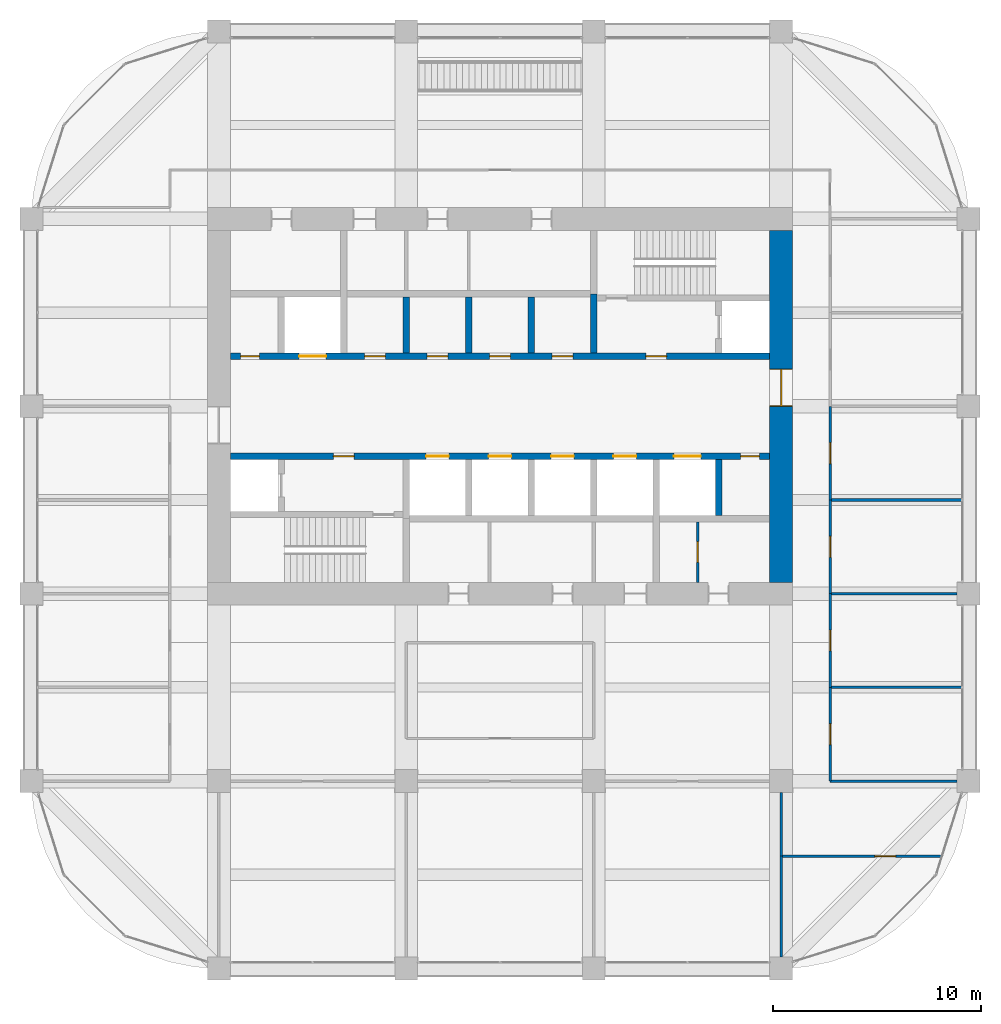
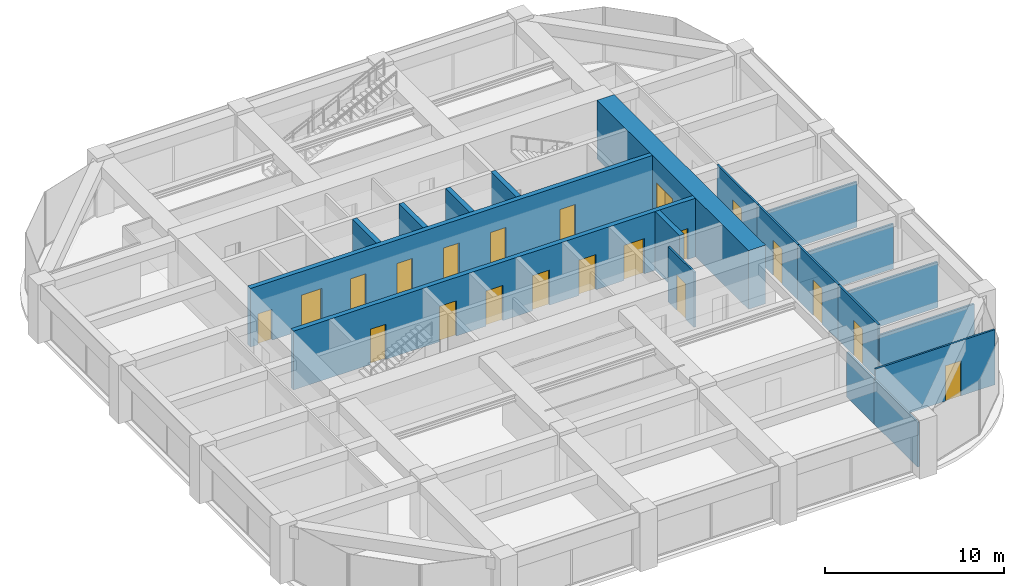
# One storey, part 42 of 45: 21 doors, 20 walls, 21 openings.
"""IFC4 building model written with IfcOpenShell, lengths in metres."""

from ifc_helpers import new_model, si_unit, direction, frame, frame_2d, origin, place, context, subcontext, project, spatial, rectangle, extrude, material, layer, layer_set, type_object, element, fill, save


model = new_model("IFC4")

# Units and contexts
model_context = context("Model", 3, precision=1e-05, world=origin(), true_north=direction((0.0, 1.0)))
body_context = subcontext(model_context, "Body", "Model", "MODEL_VIEW")
ifc_project = project(units=[si_unit("LENGTHUNIT", "METRE"), si_unit("AREAUNIT", "SQUARE_METRE"), si_unit("VOLUMEUNIT", "CUBIC_METRE"), si_unit("PLANEANGLEUNIT", "RADIAN"), si_unit("MASSUNIT", "GRAM", prefix="KILO")], contexts=[model_context])

# Site, building, storey
site_placement = place(None, origin())
site = spatial("IfcSite", under=ifc_project, at=site_placement, CompositionType="ELEMENT")
building_placement = place(site_placement, origin())
building = spatial("IfcBuilding", under=site, at=building_placement, Name="Zorevar Civic Tower", CompositionType="ELEMENT")
storey_placement = place(building_placement, frame((0.0, 0.0, 291.39990234375)))
storey = spatial("IfcBuildingStorey", under=building, at=storey_placement, Name="L71", CompositionType="ELEMENT", Elevation=291.39990234375)

# Wall, opening, door
ifc_material_1 = material(Name="Concrete C50/60", Category="concrete")
ifc_layer_1 = layer(ifc_material_1, 1.10009765625)
ifc_layer_set_1 = layer_set([ifc_layer_1], Name="Core wall 1100")
wall_type_1 = type_object("IfcWallType", Name="Core wall 1100", PredefinedType="SHEAR", material=ifc_layer_set_1)
wall_1_placement = place(storey_placement, frame((45.0, 18.550048828125, 0.0), z_axis=(0.0, 0.0, 1.0), x_axis=(0.0, 1.0, 0.0)))
wall_1 = element("IfcWall", 1, at=wall_1_placement, inside=storey, type_object=wall_type_1, Name="Core wall E L71", PredefinedType="SHEAR", context=body_context, shape_type="SweptSolid", body=[
    extrude(rectangle(XDim=16.89990234375, YDim=1.10009765625, at=frame_2d((8.449951171875, 0.0))), origin(), (0.0, 0.0, 1.0), 4.0),
])
opening_1_placement = place(wall_1_placement, frame((8.449951171875, 0.0, 0.0)))
opening_1 = element("IfcOpeningElement", 2, at=opening_1_placement, cuts=wall_1, Name="Opening L71.02", PredefinedType="OPENING", context=body_context, shape_type="SweptSolid", body=[
    extrude(rectangle(XDim=1.800048828125, YDim=2.39990234375, at=frame_2d((0.89990234375, 1.199951171875))), frame((0.0, 0.56005859375, 0.0), z_axis=(0.0, -1.0, 0.0), x_axis=(1.0, 0.0, 0.0)), (0.0, 0.0, 1.0), 1.1201171875),
])
ifc_material_2 = material(Name="Steel door set", Category="steel")
door_type_1 = type_object("IfcDoorType", Name="Fire door FD2 1800x2400", OperationType="DOUBLE_DOOR_DOUBLE_SWING", PredefinedType="DOOR", material=ifc_material_2)
door_1_placement = place(opening_1_placement, origin())
door_1 = element("IfcDoor", 3, at=door_1_placement, inside=storey, type_object=door_type_1, Name="Door L71 01", OperationType="DOUBLE_DOOR_DOUBLE_SWING", OverallHeight=2.39990234375, OverallWidth=1.800048828125, PredefinedType="DOOR", context=body_context, shape_type="SweptSolid", body=[
    extrude(rectangle(XDim=1.800048828125, YDim=2.39990234375, at=frame_2d((0.89990234375, 1.199951171875))), frame((0.0, 0.030029296875, 0.0), z_axis=(0.0, -1.0, 0.0), x_axis=(1.0, 0.0, 0.0)), (0.0, 0.0, 1.0), 0.06005859375),
    extrude(rectangle(XDim=0.04, YDim=2.39990234375, at=frame_2d((0.02001953125, 1.199951171875))), frame((0.0, 0.5498046875, 0.0), z_axis=(0.0, -1.0, 0.0), x_axis=(1.0, 0.0, 0.0)), (0.0, 0.0, 1.0), 1.099609375),
    extrude(rectangle(XDim=0.04, YDim=2.39990234375, at=frame_2d((1.780029296875, 1.199951171875))), frame((0.0, 0.5498046875, 0.0), z_axis=(0.0, -1.0, 0.0), x_axis=(1.0, 0.0, 0.0)), (0.0, 0.0, 1.0), 1.099609375),
    extrude(rectangle(XDim=1.800048828125, YDim=0.04, at=frame_2d((0.89990234375, 2.3798828125))), frame((0.0, 0.5498046875, 0.0), z_axis=(0.0, -1.0, 0.0), x_axis=(1.0, 0.0, 0.0)), (0.0, 0.0, 1.0), 1.099609375),
])
fill(opening_1, door_1)

# Wall, openings, doors
ifc_material_3 = material(Name="Concrete C40/50", Category="concrete")
ifc_layer_2 = layer(ifc_material_3, 0.300048828125)
ifc_layer_set_2 = layer_set([ifc_layer_2], Name="Inner core wall 300")
wall_type_2 = type_object("IfcWallType", Name="Inner core wall 300", PredefinedType="SHEAR", material=ifc_layer_set_2)
wall_2_placement = place(storey_placement, frame((18.550048828125, 24.60009765625, 0.0), z_axis=(0.0, 0.0, 1.0), x_axis=(1.0, 0.0, 0.0)))
wall_2 = element("IfcWall", 4, at=wall_2_placement, inside=storey, type_object=wall_type_2, Name="Inner core wall S03 L71", PredefinedType="SHEAR", context=body_context, shape_type="SweptSolid", body=[
    extrude(rectangle(XDim=25.89990234375, YDim=0.300048828125, at=frame_2d((12.949951171875, 0.0))), origin(), (0.0, 0.0, 1.0), 4.0),
])
opening_2_placement = place(wall_2_placement, frame((4.949951171875, 0.0, 0.0)))
opening_2 = element("IfcOpeningElement", 5, at=opening_2_placement, cuts=wall_2, Name="Opening L71.13", PredefinedType="OPENING", context=body_context, shape_type="SweptSolid", body=[
    extrude(rectangle(XDim=1.0, YDim=2.39990234375, at=frame_2d((0.5, 1.199951171875))), frame((0.0, 0.159912109375, 0.0), z_axis=(0.0, -1.0, 0.0), x_axis=(1.0, 0.0, 0.0)), (0.0, 0.0, 1.0), 0.320068359375),
])
opening_3_placement = place(wall_2_placement, frame((24.5, 0.0, 0.0)))
opening_3 = element("IfcOpeningElement", 6, at=opening_3_placement, cuts=wall_2, Name="Opening L71.15", PredefinedType="OPENING", context=body_context, shape_type="SweptSolid", body=[
    extrude(rectangle(XDim=0.89990234375, YDim=2.10009765625, at=frame_2d((0.449951171875, 1.050048828125))), frame((0.0, 0.159912109375, 0.0), z_axis=(0.0, -1.0, 0.0), x_axis=(1.0, 0.0, 0.0)), (0.0, 0.0, 1.0), 0.320068359375),
])
opening_4_placement = place(wall_2_placement, frame((9.39990234375, 0.0, 0.0)))
opening_4 = element("IfcOpeningElement", 7, at=opening_4_placement, cuts=wall_2, Name="Opening L71.LT1", PredefinedType="OPENING", context=body_context, shape_type="SweptSolid", body=[
    extrude(rectangle(XDim=1.10009765625, YDim=2.39990234375, at=frame_2d((0.550048828125, 1.199951171875))), frame((0.0, 0.159912109375, 0.0), z_axis=(0.0, -1.0, 0.0), x_axis=(1.0, 0.0, 0.0)), (0.0, 0.0, 1.0), 0.320068359375),
])
opening_5_placement = place(wall_2_placement, frame((12.39990234375, 0.0, 0.0)))
opening_5 = element("IfcOpeningElement", 8, at=opening_5_placement, cuts=wall_2, Name="Opening L71.LT2", PredefinedType="OPENING", context=body_context, shape_type="SweptSolid", body=[
    extrude(rectangle(XDim=1.10009765625, YDim=2.39990234375, at=frame_2d((0.550048828125, 1.199951171875))), frame((0.0, 0.159912109375, 0.0), z_axis=(0.0, -1.0, 0.0), x_axis=(1.0, 0.0, 0.0)), (0.0, 0.0, 1.0), 0.320068359375),
])
opening_6_placement = place(wall_2_placement, frame((15.39990234375, 0.0, 0.0)))
opening_6 = element("IfcOpeningElement", 9, at=opening_6_placement, cuts=wall_2, Name="Opening L71.LT3", PredefinedType="OPENING", context=body_context, shape_type="SweptSolid", body=[
    extrude(rectangle(XDim=1.10009765625, YDim=2.39990234375, at=frame_2d((0.550048828125, 1.199951171875))), frame((0.0, 0.159912109375, 0.0), z_axis=(0.0, -1.0, 0.0), x_axis=(1.0, 0.0, 0.0)), (0.0, 0.0, 1.0), 0.320068359375),
])
opening_7_placement = place(wall_2_placement, frame((18.39990234375, 0.0, 0.0)))
opening_7 = element("IfcOpeningElement", 10, at=opening_7_placement, cuts=wall_2, Name="Opening L71.LT4", PredefinedType="OPENING", context=body_context, shape_type="SweptSolid", body=[
    extrude(rectangle(XDim=1.10009765625, YDim=2.39990234375, at=frame_2d((0.550048828125, 1.199951171875))), frame((0.0, 0.159912109375, 0.0), z_axis=(0.0, -1.0, 0.0), x_axis=(1.0, 0.0, 0.0)), (0.0, 0.0, 1.0), 0.320068359375),
])
opening_8_placement = place(wall_2_placement, frame((21.300048828125, 0.0, 0.0)))
opening_8 = element("IfcOpeningElement", 11, at=opening_8_placement, cuts=wall_2, Name="Opening L71.SL1", PredefinedType="OPENING", context=body_context, shape_type="SweptSolid", body=[
    extrude(rectangle(XDim=1.300048828125, YDim=2.39990234375, at=frame_2d((0.64990234375, 1.199951171875))), frame((0.0, 0.159912109375, 0.0), z_axis=(0.0, -1.0, 0.0), x_axis=(1.0, 0.0, 0.0)), (0.0, 0.0, 1.0), 0.320068359375),
])
ifc_material_4 = material(Name="Steel door set", Category="steel")
door_type_2 = type_object("IfcDoorType", Name="Fire door FD1 1000x2400", OperationType="SINGLE_SWING_LEFT", PredefinedType="DOOR", material=ifc_material_4)
door_2_placement = place(opening_2_placement, origin())
door_2 = element("IfcDoor", 12, at=door_2_placement, inside=storey, type_object=door_type_2, Name="Door L71 12", OperationType="SINGLE_SWING_RIGHT", OverallHeight=2.39990234375, OverallWidth=1.0, PredefinedType="DOOR", context=body_context, shape_type="SweptSolid", body=[
    extrude(rectangle(XDim=1.0, YDim=2.39990234375, at=frame_2d((0.5, 1.199951171875))), frame((0.0, 0.030029296875, 0.0), z_axis=(0.0, -1.0, 0.0), x_axis=(1.0, 0.0, 0.0)), (0.0, 0.0, 1.0), 0.06005859375),
])
fill(opening_2, door_2)
ifc_material_5 = material(Name="Steel door set", Category="steel")
door_type_3 = type_object("IfcDoorType", Name="Landing door LD1 1100x2400", OperationType="DOUBLE_DOOR_SLIDING", PredefinedType="DOOR", material=ifc_material_5)
door_3_placement = place(opening_4_placement, origin())
door_3 = element("IfcDoor", 13, at=door_3_placement, inside=storey, type_object=door_type_3, Name="Landing door LT1 L71", OperationType="DOUBLE_DOOR_SLIDING", OverallHeight=2.39990234375, OverallWidth=1.10009765625, PredefinedType="DOOR", context=body_context, shape_type="SweptSolid", body=[
    extrude(rectangle(XDim=1.10009765625, YDim=2.39990234375, at=frame_2d((0.550048828125, 1.199951171875))), frame((0.0, 0.02001953125, 0.0), z_axis=(0.0, -1.0, 0.0), x_axis=(1.0, 0.0, 0.0)), (0.0, 0.0, 1.0), 0.0400390625),
])
fill(opening_4, door_3)
door_4_placement = place(opening_5_placement, origin())
door_4 = element("IfcDoor", 14, at=door_4_placement, inside=storey, type_object=door_type_3, Name="Landing door LT2 L71", OperationType="DOUBLE_DOOR_SLIDING", OverallHeight=2.39990234375, OverallWidth=1.10009765625, PredefinedType="DOOR", context=body_context, shape_type="SweptSolid", body=[
    extrude(rectangle(XDim=1.10009765625, YDim=2.39990234375, at=frame_2d((0.550048828125, 1.199951171875))), frame((0.0, 0.02001953125, 0.0), z_axis=(0.0, -1.0, 0.0), x_axis=(1.0, 0.0, 0.0)), (0.0, 0.0, 1.0), 0.0400390625),
])
fill(opening_5, door_4)
door_5_placement = place(opening_6_placement, origin())
door_5 = element("IfcDoor", 15, at=door_5_placement, inside=storey, type_object=door_type_3, Name="Landing door LT3 L71", OperationType="DOUBLE_DOOR_SLIDING", OverallHeight=2.39990234375, OverallWidth=1.10009765625, PredefinedType="DOOR", context=body_context, shape_type="SweptSolid", body=[
    extrude(rectangle(XDim=1.10009765625, YDim=2.39990234375, at=frame_2d((0.550048828125, 1.199951171875))), frame((0.0, 0.02001953125, 0.0), z_axis=(0.0, -1.0, 0.0), x_axis=(1.0, 0.0, 0.0)), (0.0, 0.0, 1.0), 0.0400390625),
])
fill(opening_6, door_5)
door_6_placement = place(opening_7_placement, origin())
door_6 = element("IfcDoor", 16, at=door_6_placement, inside=storey, type_object=door_type_3, Name="Landing door LT4 L71", OperationType="DOUBLE_DOOR_SLIDING", OverallHeight=2.39990234375, OverallWidth=1.10009765625, PredefinedType="DOOR", context=body_context, shape_type="SweptSolid", body=[
    extrude(rectangle(XDim=1.10009765625, YDim=2.39990234375, at=frame_2d((0.550048828125, 1.199951171875))), frame((0.0, 0.02001953125, 0.0), z_axis=(0.0, -1.0, 0.0), x_axis=(1.0, 0.0, 0.0)), (0.0, 0.0, 1.0), 0.0400390625),
])
fill(opening_7, door_6)
ifc_material_6 = material(Name="Steel door set", Category="steel")
door_type_4 = type_object("IfcDoorType", Name="Landing door LD2 1300x2400", OperationType="DOUBLE_DOOR_SLIDING", PredefinedType="DOOR", material=ifc_material_6)
door_7_placement = place(opening_8_placement, origin())
door_7 = element("IfcDoor", 17, at=door_7_placement, inside=storey, type_object=door_type_4, Name="Landing door SL1 L71", OperationType="DOUBLE_DOOR_SLIDING", OverallHeight=2.39990234375, OverallWidth=1.300048828125, PredefinedType="DOOR", context=body_context, shape_type="SweptSolid", body=[
    extrude(rectangle(XDim=1.300048828125, YDim=2.39990234375, at=frame_2d((0.64990234375, 1.199951171875))), frame((0.0, 0.02001953125, 0.0), z_axis=(0.0, -1.0, 0.0), x_axis=(1.0, 0.0, 0.0)), (0.0, 0.0, 1.0), 0.0400390625),
])
fill(opening_8, door_7)
ifc_material_7 = material(Name="Steel door set", Category="steel")
door_type_5 = type_object("IfcDoorType", Name="Riser door RD1 900x2100", OperationType="SINGLE_SWING_LEFT", PredefinedType="DOOR", material=ifc_material_7)
door_8_placement = place(opening_3_placement, origin())
door_8 = element("IfcDoor", 18, at=door_8_placement, inside=storey, type_object=door_type_5, Name="Door L71 14", OperationType="SINGLE_SWING_RIGHT", OverallHeight=2.10009765625, OverallWidth=0.89990234375, PredefinedType="DOOR", context=body_context, shape_type="SweptSolid", body=[
    extrude(rectangle(XDim=0.89990234375, YDim=2.10009765625, at=frame_2d((0.449951171875, 1.050048828125))), frame((0.0, 0.030029296875, 0.0), z_axis=(0.0, -1.0, 0.0), x_axis=(1.0, 0.0, 0.0)), (0.0, 0.0, 1.0), 0.06005859375),
])
fill(opening_3, door_8)

wall_3_placement = place(storey_placement, frame((18.550048828125, 29.39990234375, 0.0), z_axis=(0.0, 0.0, 1.0), x_axis=(1.0, 0.0, 0.0)))
wall_3 = element("IfcWall", 19, at=wall_3_placement, inside=storey, type_object=wall_type_2, Name="Inner core wall N03 L71", PredefinedType="SHEAR", context=body_context, shape_type="SweptSolid", body=[
    extrude(rectangle(XDim=25.89990234375, YDim=0.300048828125, at=frame_2d((12.949951171875, 0.0))), origin(), (0.0, 0.0, 1.0), 4.0),
])
opening_9_placement = place(wall_3_placement, frame((19.949951171875, 0.0, 0.0)))
opening_9 = element("IfcOpeningElement", 20, at=opening_9_placement, cuts=wall_3, Name="Opening L71.14", PredefinedType="OPENING", context=body_context, shape_type="SweptSolid", body=[
    extrude(rectangle(XDim=1.0, YDim=2.39990234375, at=frame_2d((0.5, 1.199951171875))), frame((0.0, 0.159912109375, 0.0), z_axis=(0.0, -1.0, 0.0), x_axis=(1.0, 0.0, 0.0)), (0.0, 0.0, 1.0), 0.320068359375),
])
opening_10_placement = place(wall_3_placement, frame((0.5, 0.0, 0.0)))
opening_10 = element("IfcOpeningElement", 21, at=opening_10_placement, cuts=wall_3, Name="Opening L71.16", PredefinedType="OPENING", context=body_context, shape_type="SweptSolid", body=[
    extrude(rectangle(XDim=0.89990234375, YDim=2.10009765625, at=frame_2d((0.449951171875, 1.050048828125))), frame((0.0, 0.159912109375, 0.0), z_axis=(0.0, -1.0, 0.0), x_axis=(1.0, 0.0, 0.0)), (0.0, 0.0, 1.0), 0.320068359375),
])
opening_11_placement = place(wall_3_placement, frame((15.449951171875, 0.0, 0.0)))
opening_11 = element("IfcOpeningElement", 22, at=opening_11_placement, cuts=wall_3, Name="Opening L71.35", PredefinedType="OPENING", context=body_context, shape_type="SweptSolid", body=[
    extrude(rectangle(XDim=1.0, YDim=2.39990234375, at=frame_2d((0.5, 1.199951171875))), frame((0.0, 0.159912109375, 0.0), z_axis=(0.0, -1.0, 0.0), x_axis=(1.0, 0.0, 0.0)), (0.0, 0.0, 1.0), 0.320068359375),
])
opening_12_placement = place(wall_3_placement, frame((12.449951171875, 0.0, 0.0)))
opening_12 = element("IfcOpeningElement", 23, at=opening_12_placement, cuts=wall_3, Name="Opening L71.36", PredefinedType="OPENING", context=body_context, shape_type="SweptSolid", body=[
    extrude(rectangle(XDim=1.0, YDim=2.39990234375, at=frame_2d((0.5, 1.199951171875))), frame((0.0, 0.159912109375, 0.0), z_axis=(0.0, -1.0, 0.0), x_axis=(1.0, 0.0, 0.0)), (0.0, 0.0, 1.0), 0.320068359375),
])
opening_13_placement = place(wall_3_placement, frame((9.449951171875, 0.0, 0.0)))
opening_13 = element("IfcOpeningElement", 24, at=opening_13_placement, cuts=wall_3, Name="Opening L71.37", PredefinedType="OPENING", context=body_context, shape_type="SweptSolid", body=[
    extrude(rectangle(XDim=1.0, YDim=2.39990234375, at=frame_2d((0.5, 1.199951171875))), frame((0.0, 0.159912109375, 0.0), z_axis=(0.0, -1.0, 0.0), x_axis=(1.0, 0.0, 0.0)), (0.0, 0.0, 1.0), 0.320068359375),
])
opening_14_placement = place(wall_3_placement, frame((6.449951171875, 0.0, 0.0)))
opening_14 = element("IfcOpeningElement", 25, at=opening_14_placement, cuts=wall_3, Name="Opening L71.38", PredefinedType="OPENING", context=body_context, shape_type="SweptSolid", body=[
    extrude(rectangle(XDim=1.0, YDim=2.39990234375, at=frame_2d((0.5, 1.199951171875))), frame((0.0, 0.159912109375, 0.0), z_axis=(0.0, -1.0, 0.0), x_axis=(1.0, 0.0, 0.0)), (0.0, 0.0, 1.0), 0.320068359375),
])
opening_15_placement = place(wall_3_placement, frame((3.300048828125, 0.0, 0.0)))
opening_15 = element("IfcOpeningElement", 26, at=opening_15_placement, cuts=wall_3, Name="Opening L71.SL2", PredefinedType="OPENING", context=body_context, shape_type="SweptSolid", body=[
    extrude(rectangle(XDim=1.300048828125, YDim=2.39990234375, at=frame_2d((0.64990234375, 1.199951171875))), frame((0.0, 0.159912109375, 0.0), z_axis=(0.0, -1.0, 0.0), x_axis=(1.0, 0.0, 0.0)), (0.0, 0.0, 1.0), 0.320068359375),
])
door_9_placement = place(opening_9_placement, origin())
door_9 = element("IfcDoor", 27, at=door_9_placement, inside=storey, type_object=door_type_2, Name="Door L71 13", OperationType="SINGLE_SWING_RIGHT", OverallHeight=2.39990234375, OverallWidth=1.0, PredefinedType="DOOR", context=body_context, shape_type="SweptSolid", body=[
    extrude(rectangle(XDim=1.0, YDim=2.39990234375, at=frame_2d((0.5, 1.199951171875))), frame((0.0, 0.030029296875, 0.0), z_axis=(0.0, -1.0, 0.0), x_axis=(1.0, 0.0, 0.0)), (0.0, 0.0, 1.0), 0.06005859375),
])
fill(opening_9, door_9)
door_10_placement = place(opening_11_placement, origin())
door_10 = element("IfcDoor", 28, at=door_10_placement, inside=storey, type_object=door_type_2, Name="Door L71 LM1 shaft room", OperationType="SINGLE_SWING_LEFT", OverallHeight=2.39990234375, OverallWidth=1.0, PredefinedType="DOOR", context=body_context, shape_type="SweptSolid", body=[
    extrude(rectangle(XDim=1.0, YDim=2.39990234375, at=frame_2d((0.5, 1.199951171875))), frame((0.0, 0.030029296875, 0.0), z_axis=(0.0, -1.0, 0.0), x_axis=(1.0, 0.0, 0.0)), (0.0, 0.0, 1.0), 0.06005859375),
])
fill(opening_11, door_10)
door_11_placement = place(opening_12_placement, origin())
door_11 = element("IfcDoor", 29, at=door_11_placement, inside=storey, type_object=door_type_2, Name="Door L71 LM2 shaft room", OperationType="SINGLE_SWING_RIGHT", OverallHeight=2.39990234375, OverallWidth=1.0, PredefinedType="DOOR", context=body_context, shape_type="SweptSolid", body=[
    extrude(rectangle(XDim=1.0, YDim=2.39990234375, at=frame_2d((0.5, 1.199951171875))), frame((0.0, 0.030029296875, 0.0), z_axis=(0.0, -1.0, 0.0), x_axis=(1.0, 0.0, 0.0)), (0.0, 0.0, 1.0), 0.06005859375),
])
fill(opening_12, door_11)
door_12_placement = place(opening_13_placement, origin())
door_12 = element("IfcDoor", 30, at=door_12_placement, inside=storey, type_object=door_type_2, Name="Door L71 LH1 shaft room", OperationType="SINGLE_SWING_RIGHT", OverallHeight=2.39990234375, OverallWidth=1.0, PredefinedType="DOOR", context=body_context, shape_type="SweptSolid", body=[
    extrude(rectangle(XDim=1.0, YDim=2.39990234375, at=frame_2d((0.5, 1.199951171875))), frame((0.0, 0.030029296875, 0.0), z_axis=(0.0, -1.0, 0.0), x_axis=(1.0, 0.0, 0.0)), (0.0, 0.0, 1.0), 0.06005859375),
])
fill(opening_13, door_12)
door_13_placement = place(opening_14_placement, origin())
door_13 = element("IfcDoor", 31, at=door_13_placement, inside=storey, type_object=door_type_2, Name="Door L71 LH2 shaft room", OperationType="SINGLE_SWING_RIGHT", OverallHeight=2.39990234375, OverallWidth=1.0, PredefinedType="DOOR", context=body_context, shape_type="SweptSolid", body=[
    extrude(rectangle(XDim=1.0, YDim=2.39990234375, at=frame_2d((0.5, 1.199951171875))), frame((0.0, 0.030029296875, 0.0), z_axis=(0.0, -1.0, 0.0), x_axis=(1.0, 0.0, 0.0)), (0.0, 0.0, 1.0), 0.06005859375),
])
fill(opening_14, door_13)
door_14_placement = place(opening_15_placement, origin())
door_14 = element("IfcDoor", 32, at=door_14_placement, inside=storey, type_object=door_type_4, Name="Landing door SL2 L71", OperationType="DOUBLE_DOOR_SLIDING", OverallHeight=2.39990234375, OverallWidth=1.300048828125, PredefinedType="DOOR", context=body_context, shape_type="SweptSolid", body=[
    extrude(rectangle(XDim=1.300048828125, YDim=2.39990234375, at=frame_2d((0.64990234375, 1.199951171875))), frame((0.0, 0.02001953125, 0.0), z_axis=(0.0, -1.0, 0.0), x_axis=(1.0, 0.0, 0.0)), (0.0, 0.0, 1.0), 0.0400390625),
])
fill(opening_15, door_14)
door_15_placement = place(opening_10_placement, origin())
door_15 = element("IfcDoor", 33, at=door_15_placement, inside=storey, type_object=door_type_5, Name="Door L71 15", OperationType="SINGLE_SWING_RIGHT", OverallHeight=2.10009765625, OverallWidth=0.89990234375, PredefinedType="DOOR", context=body_context, shape_type="SweptSolid", body=[
    extrude(rectangle(XDim=0.89990234375, YDim=2.10009765625, at=frame_2d((0.449951171875, 1.050048828125))), frame((0.0, 0.030029296875, 0.0), z_axis=(0.0, -1.0, 0.0), x_axis=(1.0, 0.0, 0.0)), (0.0, 0.0, 1.0), 0.06005859375),
])
fill(opening_10, door_15)

# Walls
for number, where, z_axis, x_axis, name in (
    (34, (33.0, 29.550048828125, 0.0), (0.0, 0.0, 1.0), (0.0, 1.0, 0.0), "Inner core wall N05 L71"),
    (35, (30.0, 29.550048828125, 0.0), (0.0, 0.0, 1.0), (0.0, 1.0, 0.0), "Inner core wall N06 L71"),
    (36, (27.0, 29.550048828125, 0.0), (0.0, 0.0, 1.0), (0.0, 1.0, 0.0), "Inner core wall N07 L71"),
    (37, (42.0, 21.75, 0.0), (0.0, 0.0, 1.0), (0.0, 1.0, 0.0), "Inner core wall S09 L71"),
):
    element("IfcWall", number, at=place(storey_placement, frame(where, z_axis=z_axis, x_axis=x_axis)), inside=storey, type_object=wall_type_2, Name=name, PredefinedType="SHEAR", context=body_context, shape_type="SweptSolid", body=[
        extrude(rectangle(XDim=2.699951171875, YDim=0.300048828125, at=frame_2d((1.35009765625, 0.0))), origin(), (0.0, 0.0, 1.0), 4.0),
    ])
wall_4_placement = place(storey_placement, frame((36.0, 29.550048828125, 0.0), z_axis=(0.0, 0.0, 1.0), x_axis=(0.0, 1.0, 0.0)))
element("IfcWall", 38, at=wall_4_placement, inside=storey, type_object=wall_type_2, Name="Inner core wall N10 L71", PredefinedType="SHEAR", context=body_context, shape_type="SweptSolid", body=[
    extrude(rectangle(XDim=2.849853515625, YDim=0.300048828125, at=frame_2d((1.4248046875, 0.0))), origin(), (0.0, 0.0, 1.0), 4.0),
])

# Wall, opening, door
ifc_material_8 = material(Name="Gypsum board on steel studs", Category="steel")
ifc_layer_3 = layer(ifc_material_8, 0.1201171875)
ifc_layer_set_3 = layer_set([ifc_layer_3], Name="Partition 120")
wall_type_3 = type_object("IfcWallType", Name="Partition 120", PredefinedType="PARTITIONING", material=ifc_layer_set_3)
wall_5_placement = place(storey_placement, frame((45.0, 5.39990234375, 0.0), z_axis=(0.0, 0.0, 1.0), x_axis=(1.0, 0.0, 0.0)))
wall_5 = element("IfcWall", 39, at=wall_5_placement, inside=storey, type_object=wall_type_3, Name="Partition 120 L71", PredefinedType="PARTITIONING", context=body_context, shape_type="SweptSolid", body=[
    extrude(rectangle(XDim=7.690185546875, YDim=0.1201171875, at=frame_2d((3.84521484375, 0.0))), origin(), (0.0, 0.0, 1.0), 3.75),
])
opening_16_placement = place(wall_5_placement, frame((4.5, 0.0, 0.0)))
opening_16 = element("IfcOpeningElement", 40, at=opening_16_placement, cuts=wall_5, Name="Opening L71.17", PredefinedType="OPENING", context=body_context, shape_type="SweptSolid", body=[
    extrude(rectangle(XDim=1.0, YDim=2.39990234375, at=frame_2d((0.5, 1.199951171875))), frame((0.0, 0.070068359375, 0.0), z_axis=(0.0, -1.0, 0.0), x_axis=(1.0, 0.0, 0.0)), (0.0, 0.0, 1.0), 0.14013671875),
])
ifc_material_9 = material(Name="Timber door set", Category="wood")
door_type_6 = type_object("IfcDoorType", Name="Door D1 1000x2400", OperationType="SINGLE_SWING_LEFT", PredefinedType="DOOR", material=ifc_material_9)
door_16_placement = place(opening_16_placement, origin())
door_16 = element("IfcDoor", 41, at=door_16_placement, inside=storey, type_object=door_type_6, Name="Door L71 D1", OperationType="SINGLE_SWING_LEFT", OverallHeight=2.39990234375, OverallWidth=1.0, PredefinedType="DOOR", context=body_context, shape_type="SweptSolid", body=[
    extrude(rectangle(XDim=1.0, YDim=2.39990234375, at=frame_2d((0.5, 1.199951171875))), frame((0.0, 0.02490234375, 0.0), z_axis=(0.0, -1.0, 0.0), x_axis=(1.0, 0.0, 0.0)), (0.0, 0.0, 1.0), 0.050048828125),
])
fill(opening_16, door_16)

# Walls
wall_6_placement = place(storey_placement, frame((47.35009765625, 9.0, 0.0), z_axis=(0.0, 0.0, 1.0), x_axis=(1.0, 0.0, 0.0)))
element("IfcWall", 42, at=wall_6_placement, inside=storey, type_object=wall_type_3, Name="Partition 120 L71", PredefinedType="PARTITIONING", context=body_context, shape_type="SweptSolid", body=[
    extrude(rectangle(XDim=6.099853515625, YDim=0.1201171875, at=frame_2d((3.0498046875, 0.0))), origin(), (0.0, 0.0, 1.0), 3.050048828125),
])
wall_7_placement = place(storey_placement, frame((47.35009765625, 13.5, 0.0), z_axis=(0.0, 0.0, 1.0), x_axis=(1.0, 0.0, 0.0)))
element("IfcWall", 43, at=wall_7_placement, inside=storey, type_object=wall_type_3, Name="Partition 120 L71", PredefinedType="PARTITIONING", context=body_context, shape_type="SweptSolid", body=[
    extrude(rectangle(XDim=6.33984375, YDim=0.1201171875, at=frame_2d((3.169921875, 0.0))), origin(), (0.0, 0.0, 1.0), 3.10009765625),
])
wall_8_placement = place(storey_placement, frame((47.35009765625, 18.0, 0.0), z_axis=(0.0, 0.0, 1.0), x_axis=(1.0, 0.0, 0.0)))
element("IfcWall", 44, at=wall_8_placement, inside=storey, type_object=wall_type_3, Name="Partition 120 L71", PredefinedType="PARTITIONING", context=body_context, shape_type="SweptSolid", body=[
    extrude(rectangle(XDim=6.099853515625, YDim=0.1201171875, at=frame_2d((3.0498046875, 0.0))), origin(), (0.0, 0.0, 1.0), 3.050048828125),
])
wall_9_placement = place(storey_placement, frame((47.35009765625, 22.5, 0.0), z_axis=(0.0, 0.0, 1.0), x_axis=(1.0, 0.0, 0.0)))
element("IfcWall", 45, at=wall_9_placement, inside=storey, type_object=wall_type_3, Name="Partition 120 L71", PredefinedType="PARTITIONING", context=body_context, shape_type="SweptSolid", body=[
    extrude(rectangle(XDim=6.33984375, YDim=0.1201171875, at=frame_2d((3.169921875, 0.0))), origin(), (0.0, 0.0, 1.0), 3.10009765625),
])
wall_10_placement = place(storey_placement, frame((45.0, 0.550048828125, 0.0), z_axis=(0.0, 0.0, 1.0), x_axis=(0.0, 1.0, 0.0)))
element("IfcWall", 46, at=wall_10_placement, inside=storey, type_object=wall_type_3, Name="Partition 120 L71", PredefinedType="PARTITIONING", context=body_context, shape_type="SweptSolid", body=[
    extrude(rectangle(XDim=4.849853515625, YDim=0.1201171875, at=frame_2d((2.4248046875, 0.0))), origin(), (0.0, 0.0, 1.0), 3.050048828125),
])
wall_11_placement = place(storey_placement, frame((45.0, 5.39990234375, 0.0), z_axis=(0.0, 0.0, 1.0), x_axis=(0.0, 1.0, 0.0)))
element("IfcWall", 47, at=wall_11_placement, inside=storey, type_object=wall_type_3, Name="Partition 120 L71", PredefinedType="PARTITIONING", context=body_context, shape_type="SweptSolid", body=[
    extrude(rectangle(XDim=3.050048828125, YDim=0.1201171875, at=frame_2d((1.52490234375, 0.0))), origin(), (0.0, 0.0, 1.0), 3.050048828125),
])

# Wall, opening, door
wall_12_placement = place(storey_placement, frame((47.35009765625, 9.0, 0.0), z_axis=(0.0, 0.0, 1.0), x_axis=(0.0, 1.0, 0.0)))
wall_12 = element("IfcWall", 48, at=wall_12_placement, inside=storey, type_object=wall_type_3, Name="Partition 120 L71", PredefinedType="PARTITIONING", context=body_context, shape_type="SweptSolid", body=[
    extrude(rectangle(XDim=4.5, YDim=0.1201171875, at=frame_2d((2.25, 0.0))), origin(), (0.0, 0.0, 1.0), 3.75),
])
opening_17_placement = place(wall_12_placement, frame((1.75, 0.0, 0.0)))
opening_17 = element("IfcOpeningElement", 49, at=opening_17_placement, cuts=wall_12, Name="Opening L71.27", PredefinedType="OPENING", context=body_context, shape_type="SweptSolid", body=[
    extrude(rectangle(XDim=1.0, YDim=2.39990234375, at=frame_2d((0.5, 1.199951171875))), frame((0.0, 0.070068359375, 0.0), z_axis=(0.0, -1.0, 0.0), x_axis=(1.0, 0.0, 0.0)), (0.0, 0.0, 1.0), 0.14013671875),
])
door_17_placement = place(opening_17_placement, origin())
door_17 = element("IfcDoor", 50, at=door_17_placement, inside=storey, type_object=door_type_6, Name="Door L71 D1", OperationType="SINGLE_SWING_LEFT", OverallHeight=2.39990234375, OverallWidth=1.0, PredefinedType="DOOR", context=body_context, shape_type="SweptSolid", body=[
    extrude(rectangle(XDim=1.0, YDim=2.39990234375, at=frame_2d((0.5, 1.199951171875))), frame((0.0, 0.02490234375, 0.0), z_axis=(0.0, -1.0, 0.0), x_axis=(1.0, 0.0, 0.0)), (0.0, 0.0, 1.0), 0.050048828125),
])
fill(opening_17, door_17)

wall_13_placement = place(storey_placement, frame((47.35009765625, 13.5, 0.0), z_axis=(0.0, 0.0, 1.0), x_axis=(0.0, 1.0, 0.0)))
wall_13 = element("IfcWall", 51, at=wall_13_placement, inside=storey, type_object=wall_type_3, Name="Partition 120 L71", PredefinedType="PARTITIONING", context=body_context, shape_type="SweptSolid", body=[
    extrude(rectangle(XDim=4.5, YDim=0.1201171875, at=frame_2d((2.25, 0.0))), origin(), (0.0, 0.0, 1.0), 3.75),
])
opening_18_placement = place(wall_13_placement, frame((1.75, 0.0, 0.0)))
opening_18 = element("IfcOpeningElement", 52, at=opening_18_placement, cuts=wall_13, Name="Opening L71.28", PredefinedType="OPENING", context=body_context, shape_type="SweptSolid", body=[
    extrude(rectangle(XDim=1.0, YDim=2.39990234375, at=frame_2d((0.5, 1.199951171875))), frame((0.0, 0.070068359375, 0.0), z_axis=(0.0, -1.0, 0.0), x_axis=(1.0, 0.0, 0.0)), (0.0, 0.0, 1.0), 0.14013671875),
])
door_18_placement = place(opening_18_placement, origin())
door_18 = element("IfcDoor", 53, at=door_18_placement, inside=storey, type_object=door_type_6, Name="Door L71 D1", OperationType="SINGLE_SWING_RIGHT", OverallHeight=2.39990234375, OverallWidth=1.0, PredefinedType="DOOR", context=body_context, shape_type="SweptSolid", body=[
    extrude(rectangle(XDim=1.0, YDim=2.39990234375, at=frame_2d((0.5, 1.199951171875))), frame((0.0, 0.02490234375, 0.0), z_axis=(0.0, -1.0, 0.0), x_axis=(1.0, 0.0, 0.0)), (0.0, 0.0, 1.0), 0.050048828125),
])
fill(opening_18, door_18)

wall_14_placement = place(storey_placement, frame((47.35009765625, 18.0, 0.0), z_axis=(0.0, 0.0, 1.0), x_axis=(0.0, 1.0, 0.0)))
wall_14 = element("IfcWall", 54, at=wall_14_placement, inside=storey, type_object=wall_type_3, Name="Partition 120 L71", PredefinedType="PARTITIONING", context=body_context, shape_type="SweptSolid", body=[
    extrude(rectangle(XDim=4.5, YDim=0.1201171875, at=frame_2d((2.25, 0.0))), origin(), (0.0, 0.0, 1.0), 3.75),
])
opening_19_placement = place(wall_14_placement, frame((1.75, 0.0, 0.0)))
opening_19 = element("IfcOpeningElement", 55, at=opening_19_placement, cuts=wall_14, Name="Opening L71.29", PredefinedType="OPENING", context=body_context, shape_type="SweptSolid", body=[
    extrude(rectangle(XDim=1.0, YDim=2.39990234375, at=frame_2d((0.5, 1.199951171875))), frame((0.0, 0.070068359375, 0.0), z_axis=(0.0, -1.0, 0.0), x_axis=(1.0, 0.0, 0.0)), (0.0, 0.0, 1.0), 0.14013671875),
])
door_19_placement = place(opening_19_placement, origin())
door_19 = element("IfcDoor", 56, at=door_19_placement, inside=storey, type_object=door_type_6, Name="Door L71 D1", OperationType="SINGLE_SWING_RIGHT", OverallHeight=2.39990234375, OverallWidth=1.0, PredefinedType="DOOR", context=body_context, shape_type="SweptSolid", body=[
    extrude(rectangle(XDim=1.0, YDim=2.39990234375, at=frame_2d((0.5, 1.199951171875))), frame((0.0, 0.02490234375, 0.0), z_axis=(0.0, -1.0, 0.0), x_axis=(1.0, 0.0, 0.0)), (0.0, 0.0, 1.0), 0.050048828125),
])
fill(opening_19, door_19)

wall_15_placement = place(storey_placement, frame((47.35009765625, 22.5, 0.0), z_axis=(0.0, 0.0, 1.0), x_axis=(0.0, 1.0, 0.0)))
wall_15 = element("IfcWall", 57, at=wall_15_placement, inside=storey, type_object=wall_type_3, Name="Partition 120 L71", PredefinedType="PARTITIONING", context=body_context, shape_type="SweptSolid", body=[
    extrude(rectangle(XDim=4.5, YDim=0.1201171875, at=frame_2d((2.25, 0.0))), origin(), (0.0, 0.0, 1.0), 3.75),
])
opening_20_placement = place(wall_15_placement, frame((1.75, 0.0, 0.0)))
opening_20 = element("IfcOpeningElement", 58, at=opening_20_placement, cuts=wall_15, Name="Opening L71.30", PredefinedType="OPENING", context=body_context, shape_type="SweptSolid", body=[
    extrude(rectangle(XDim=1.0, YDim=2.39990234375, at=frame_2d((0.5, 1.199951171875))), frame((0.0, 0.070068359375, 0.0), z_axis=(0.0, -1.0, 0.0), x_axis=(1.0, 0.0, 0.0)), (0.0, 0.0, 1.0), 0.14013671875),
])
door_20_placement = place(opening_20_placement, origin())
door_20 = element("IfcDoor", 59, at=door_20_placement, inside=storey, type_object=door_type_6, Name="Door L71 D1", OperationType="SINGLE_SWING_RIGHT", OverallHeight=2.39990234375, OverallWidth=1.0, PredefinedType="DOOR", context=body_context, shape_type="SweptSolid", body=[
    extrude(rectangle(XDim=1.0, YDim=2.39990234375, at=frame_2d((0.5, 1.199951171875))), frame((0.0, 0.02490234375, 0.0), z_axis=(0.0, -1.0, 0.0), x_axis=(1.0, 0.0, 0.0)), (0.0, 0.0, 1.0), 0.050048828125),
])
fill(opening_20, door_20)

wall_16_placement = place(storey_placement, frame((41.0, 18.550048828125, 0.0), z_axis=(0.0, 0.0, 1.0), x_axis=(0.0, 1.0, 0.0)))
wall_16 = element("IfcWall", 60, at=wall_16_placement, inside=storey, type_object=wall_type_3, Name="Partition L71", PredefinedType="PARTITIONING", context=body_context, shape_type="SweptSolid", body=[
    extrude(rectangle(XDim=2.89990234375, YDim=0.1201171875, at=frame_2d((1.449951171875, 0.0))), origin(), (0.0, 0.0, 1.0), 3.75),
])
opening_21_placement = place(wall_16_placement, frame((0.949951171875, 0.0, 0.0)))
opening_21 = element("IfcOpeningElement", 61, at=opening_21_placement, cuts=wall_16, Name="Opening L71.34", PredefinedType="OPENING", context=body_context, shape_type="SweptSolid", body=[
    extrude(rectangle(XDim=1.0, YDim=2.39990234375, at=frame_2d((0.5, 1.199951171875))), frame((0.0, 0.070068359375, 0.0), z_axis=(0.0, -1.0, 0.0), x_axis=(1.0, 0.0, 0.0)), (0.0, 0.0, 1.0), 0.14013671875),
])
door_21_placement = place(opening_21_placement, origin())
door_21 = element("IfcDoor", 62, at=door_21_placement, inside=storey, type_object=door_type_2, Name="Door L71 ES", OperationType="SINGLE_SWING_RIGHT", OverallHeight=2.39990234375, OverallWidth=1.0, PredefinedType="DOOR", context=body_context, shape_type="SweptSolid", body=[
    extrude(rectangle(XDim=1.0, YDim=2.39990234375, at=frame_2d((0.5, 1.199951171875))), frame((0.0, 0.030029296875, 0.0), z_axis=(0.0, -1.0, 0.0), x_axis=(1.0, 0.0, 0.0)), (0.0, 0.0, 1.0), 0.06005859375),
])
fill(opening_21, door_21)

save(model, "model.ifc")
